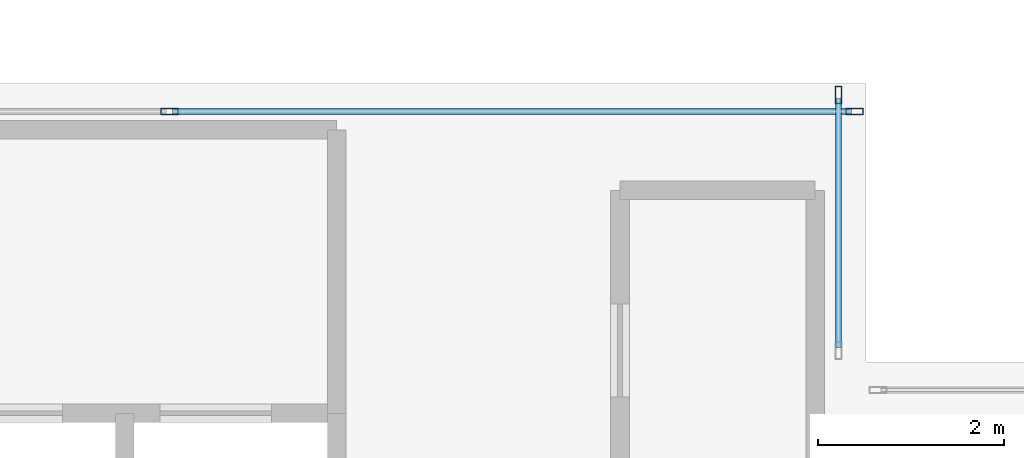
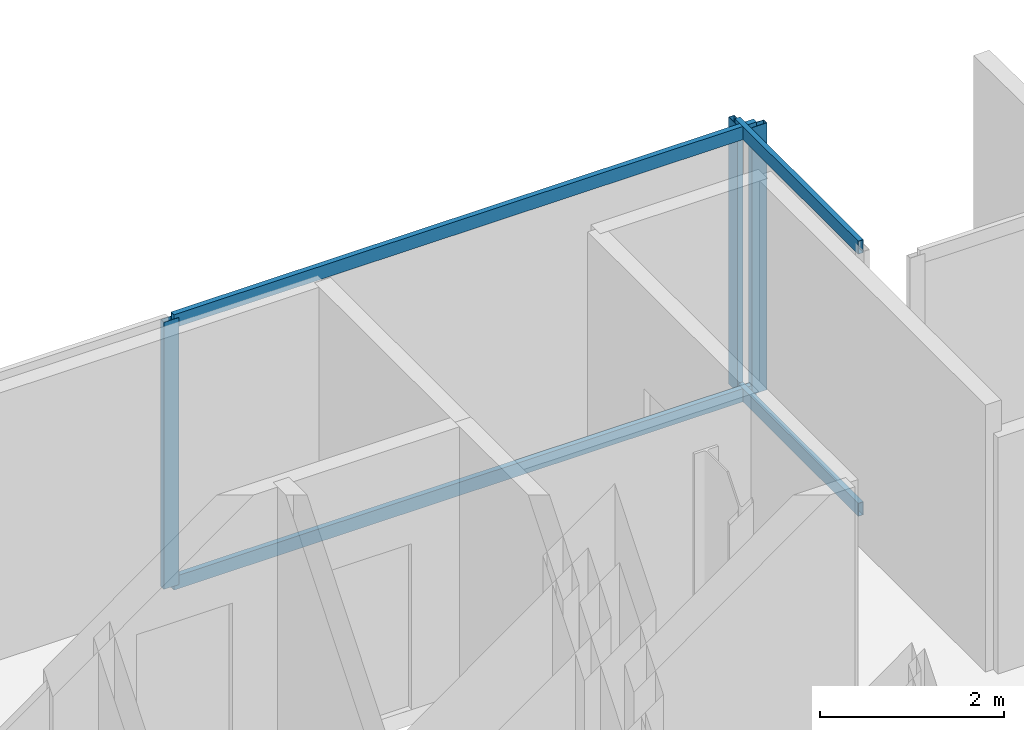
# One storey, part 12 of 22: 7 members, 2 elements without a shape of their own.
"""IFC4 building model written with IfcOpenShell, lengths in metres."""

from ifc_helpers import new_model, si_unit, direction, frame, origin, origin_2d, place, context, subcontext, project, spatial, hollow_rectangle, extrude, material, layer, layer_set, material_profile, profile_set, type_object, element, aggregate, save


model = new_model("IFC4")

# Units and contexts
model_context = context("Model", 3, precision=1e-05, world=origin(), true_north=direction((0.0, 1.0)))
body_context = subcontext(model_context, "Body", "Model", "MODEL_VIEW")
ifc_project = project(units=[si_unit("LENGTHUNIT", "METRE"), si_unit("AREAUNIT", "SQUARE_METRE"), si_unit("VOLUMEUNIT", "CUBIC_METRE"), si_unit("PLANEANGLEUNIT", "RADIAN"), si_unit("MASSUNIT", "GRAM", prefix="KILO"), si_unit("THERMODYNAMICTEMPERATUREUNIT", "KELVIN"), si_unit("POWERUNIT", "WATT")], contexts=[model_context])

# Site, building, storey
site_placement = place(None, origin())
site = spatial("IfcSite", under=ifc_project, at=site_placement, CompositionType="ELEMENT")
building_placement = place(site_placement, origin())
building = spatial("IfcBuilding", under=site, at=building_placement, Name="Svarakhadi Broadcast Tower", CompositionType="ELEMENT")
storey_placement = place(building_placement, frame((0.0, 0.0, 176.699951171875)))
storey = spatial("IfcBuildingStorey", under=building, at=storey_placement, Name="L43", CompositionType="ELEMENT", Elevation=176.699951171875)

# Curtain wall, members
ifc_material = material(Name="Anodised Bronze Aluminium AA 6063-T6", Category="aluminium")
ifc_layer = layer(ifc_material, 0.18994140625)
ifc_layer_set = layer_set([ifc_layer], Name="Anodised Bronze Aluminium AA 6063-T6")
curtain_wall_type = type_object("IfcCurtainWallType", Name="CW_Sys_04", PredefinedType="NOTDEFINED", material=ifc_layer_set)
curtain_wall_1_placement = place(storey_placement, origin())
curtain_wall_1 = element("IfcCurtainWall", 1, at=curtain_wall_1_placement, inside=storey, type_object=curtain_wall_type, Name="L43 Unitised Facade Curtain Wall 10", PredefinedType="NOTDEFINED")
ifc_material_profile_1 = material_profile(ifc_material, hollow_rectangle(XDim=0.070068359375, YDim=0.18994140625, WallThickness=0.005615234375, at=origin_2d()), Name="ALU MULLION 190x70x6")
ifc_profile_set_1 = profile_set([ifc_material_profile_1], Name="Anodised Bronze Aluminium AA 6063-T6")
member_type_1 = type_object("IfcMemberType", Name="CW_Sys_04_Mul", PredefinedType="MULLION", material=ifc_profile_set_1)
member_1_placement = place(storey_placement, frame((31.5, 23.699951171875, 0.0), z_axis=(0.0, 0.0, 1.0), x_axis=(0.0, 1.0, 0.0)))
member_1 = element("IfcMember", 2, at=member_1_placement, type_object=member_type_1, Name="CW-04 mullion 2", PredefinedType="MULLION", context=body_context, shape_type="SweptSolid", body=[
    extrude(hollow_rectangle(XDim=0.070068359375, YDim=0.18994140625, WallThickness=0.005615234375, at=origin_2d()), origin(), (0.0, 0.0, 1.0), 3.5400390625),
])
member_2_placement = place(storey_placement, frame((38.875, 23.699951171875, 0.0), z_axis=(0.0, 0.0, 1.0), x_axis=(0.0, 1.0, 0.0)))
member_2 = element("IfcMember", 3, at=member_2_placement, type_object=member_type_1, Name="CW-04 mullion 3", PredefinedType="MULLION", context=body_context, shape_type="SweptSolid", body=[
    extrude(hollow_rectangle(XDim=0.070068359375, YDim=0.18994140625, WallThickness=0.005615234375, at=origin_2d()), origin(), (0.0, 0.0, 1.0), 3.5400390625),
])

# Curtain wall, member
curtain_wall_2_placement = place(storey_placement, origin())
curtain_wall_2 = element("IfcCurtainWall", 4, at=curtain_wall_2_placement, inside=storey, type_object=curtain_wall_type, Name="L43 Unitised Facade Curtain Wall 11", PredefinedType="NOTDEFINED")
member_3_placement = place(storey_placement, frame((38.699951171875, 23.875, 0.0), z_axis=(0.0, 0.0, 1.0), x_axis=(1.0, 0.0, 0.0)))
member_3 = element("IfcMember", 5, at=member_3_placement, type_object=member_type_1, Name="CW-04 mullion 1", PredefinedType="MULLION", context=body_context, shape_type="SweptSolid", body=[
    extrude(hollow_rectangle(XDim=0.070068359375, YDim=0.18994140625, WallThickness=0.005615234375, at=origin_2d()), origin(), (0.0, 0.0, 1.0), 3.5400390625),
])

# Member
ifc_material_profile_2 = material_profile(ifc_material, hollow_rectangle(XDim=0.06494140625, YDim=0.175048828125, WallThickness=0.0048828125, at=origin_2d()), Name="ALU TRANSOM 175x65x5")
ifc_profile_set_2 = profile_set([ifc_material_profile_2], Name="Anodised Bronze Aluminium AA 6063-T6")
member_type_2 = type_object("IfcMemberType", Name="CW_Sys_04_Trn", PredefinedType="USERDEFINED", material=ifc_profile_set_2)
member_4_placement = place(storey_placement, frame((31.534912109375, 23.699951171875, 0.032470703125), z_axis=(1.0, 0.0, 0.0), x_axis=(0.0, 1.0, 0.0)))
member_4 = element("IfcMember", 6, at=member_4_placement, type_object=member_type_2, Name="CW-04 transom 2.1", ObjectType="TRANSOM", PredefinedType="USERDEFINED", context=body_context, shape_type="SweptSolid", body=[
    extrude(hollow_rectangle(XDim=0.06494140625, YDim=0.175048828125, WallThickness=0.0048828125, at=origin_2d()), origin(), (0.0, 0.0, 1.0), 7.30517578125),
])

member_5_placement = place(storey_placement, frame((31.534912109375, 23.699951171875, 3.507568359375), z_axis=(1.0, 0.0, 0.0), x_axis=(0.0, 1.0, 0.0)))
member_5 = element("IfcMember", 7, at=member_5_placement, type_object=member_type_2, Name="CW-04 transom 2.2", ObjectType="TRANSOM", PredefinedType="USERDEFINED", context=body_context, shape_type="SweptSolid", body=[
    extrude(hollow_rectangle(XDim=0.06494140625, YDim=0.175048828125, WallThickness=0.0048828125, at=origin_2d()), origin(), (0.0, 0.0, 1.0), 7.30517578125),
])

aggregate(curtain_wall_1, [member_1, member_2, member_4, member_5])

member_6_placement = place(storey_placement, frame((38.699951171875, 23.840087890625, 0.032470703125), z_axis=(0.0, -1.0, 0.0), x_axis=(1.0, 0.0, 0.0)))
member_6 = element("IfcMember", 8, at=member_6_placement, type_object=member_type_2, Name="CW-04 transom 1.1", ObjectType="TRANSOM", PredefinedType="USERDEFINED", context=body_context, shape_type="SweptSolid", body=[
    extrude(hollow_rectangle(XDim=0.06494140625, YDim=0.175048828125, WallThickness=0.0048828125, at=origin_2d()), origin(), (0.0, 0.0, 1.0), 2.68017578125),
])

member_7_placement = place(storey_placement, frame((38.699951171875, 23.840087890625, 3.507568359375), z_axis=(0.0, -1.0, 0.0), x_axis=(1.0, 0.0, 0.0)))
member_7 = element("IfcMember", 9, at=member_7_placement, type_object=member_type_2, Name="CW-04 transom 1.2", ObjectType="TRANSOM", PredefinedType="USERDEFINED", context=body_context, shape_type="SweptSolid", body=[
    extrude(hollow_rectangle(XDim=0.06494140625, YDim=0.175048828125, WallThickness=0.0048828125, at=origin_2d()), origin(), (0.0, 0.0, 1.0), 2.68017578125),
])

aggregate(curtain_wall_2, [member_3, member_6, member_7])

save(model, "model.ifc")
